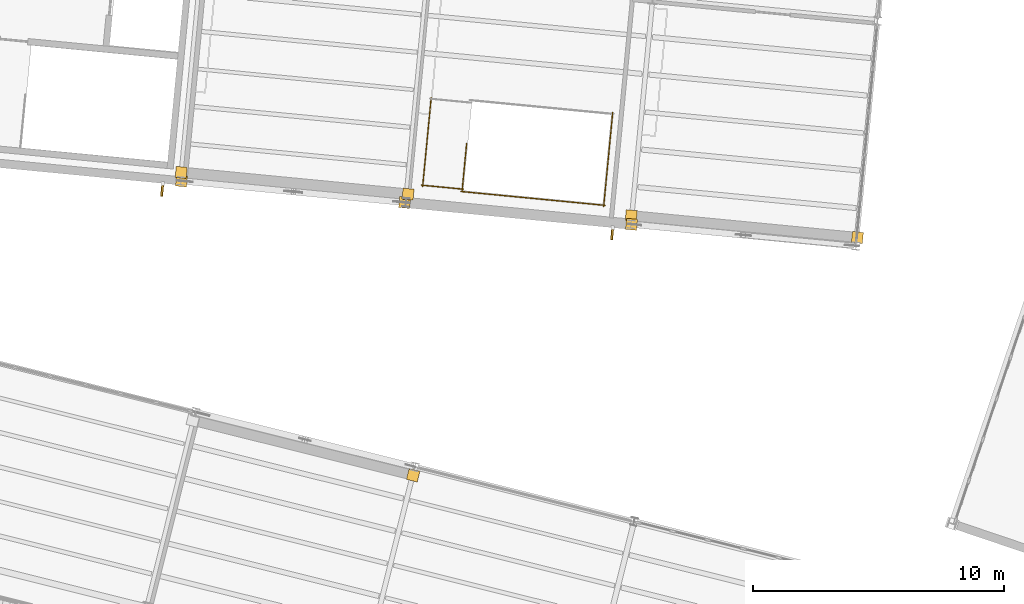
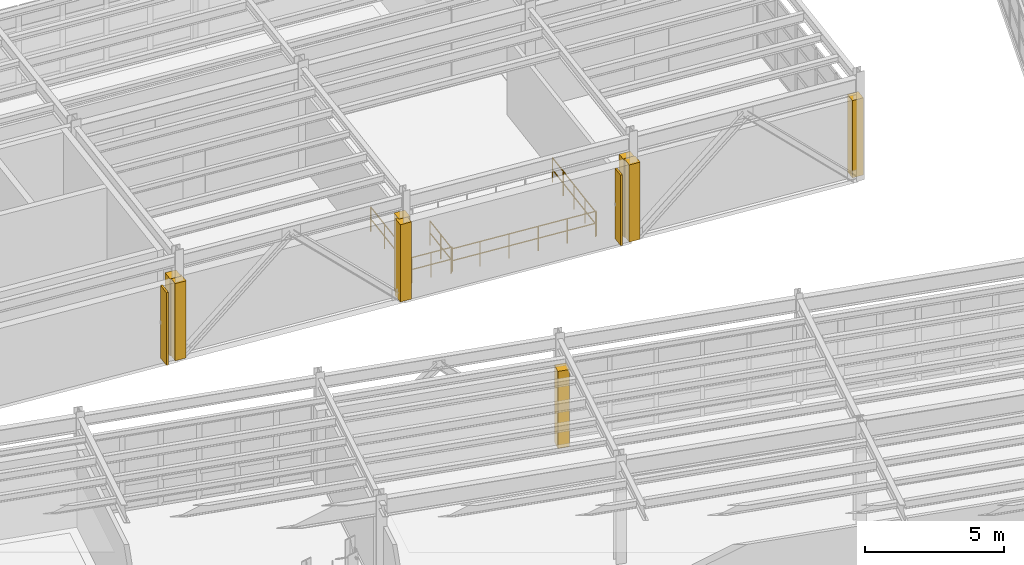
# One storey, part 99 of 102: 8 coverings, 5 railings, 2 shading devices.
"""IFC4 building model written with IfcOpenShell, lengths in metres."""

from ifc_helpers import new_model, si_unit, direction, frame, origin, origin_2d, place, context, subcontext, project, spatial, rectangle, circle, extrude, material, layer, layer_set, type_object, element, save


model = new_model("IFC4")

# Units and contexts
model_context = context("Model", 3, precision=1e-05, world=origin(), true_north=direction((0.0, 1.0)))
body_context = subcontext(model_context, "Body", "Model", "MODEL_VIEW")
ifc_project = project(units=[si_unit("LENGTHUNIT", "METRE"), si_unit("AREAUNIT", "SQUARE_METRE"), si_unit("VOLUMEUNIT", "CUBIC_METRE"), si_unit("PLANEANGLEUNIT", "RADIAN"), si_unit("MASSUNIT", "GRAM", prefix="KILO")], contexts=[model_context])

# Site, building, storey
site_placement = place(None, origin())
site = spatial("IfcSite", under=ifc_project, at=site_placement, CompositionType="ELEMENT")
building_placement = place(site_placement, origin())
building = spatial("IfcBuilding", under=site, at=building_placement, Name="Vireo Bluff Cable Station", CompositionType="ELEMENT")
storey_placement = place(building_placement, frame((0.0, 0.0, 9.60009765625)))
storey = spatial("IfcBuildingStorey", under=building, at=storey_placement, Name="L02", CompositionType="ELEMENT", Elevation=9.60009765625)

# Coverings
ifc_material_1 = material(Name="Precast concrete f'c 45 MPa", Category="concrete")
ifc_layer = layer(ifc_material_1, 0.0400390625, Name="Precast concrete f'c 45 MPa")
ifc_layer_set = layer_set([ifc_layer], Name="Precast concrete f'c 45 MPa")
covering_type = type_object("IfcCoveringType", Name="COL-CLOSURE-WRAP", PredefinedType="CLADDING", material=ifc_layer_set)
for number, where, z_axis, x_axis, name in (
    (1, (85.942626953125, 54.420166015625, 0.0), (0.0, 0.0, 1.0), (0.970295726276, -0.2419218956, 0.0), "V1 L02 column pocket closure"),
    (2, (103.62841796875, 63.8896484375, 0.0), (0.0, 0.0, 1.0), (0.995396198367, -0.09584575252, 0.0), "V3 L02 column pocket closure"),
    (3, (94.625, 64.756591796875, 0.0), (0.0, 0.0, 1.0), (0.995396198367, -0.09584575252, 0.0), "V3 L02 column pocket closure"),
    (4, (94.63525390625, 64.4140625, 0.0), (0.0, 0.0, 1.0), (0.995396198367, -0.09584575252, 0.0), "V3 L02 column pocket closure"),
    (5, (85.6044921875, 65.283447265625, 0.0), (0.0, 0.0, 1.0), (0.995396198367, -0.09584575252, 0.0), "V3 L02 column pocket closure"),
    (6, (85.738525390625, 65.6123046875, 0.0), (0.0, 0.0, 1.0), (0.995396198367, -0.09584575252, 0.0), "V3 L02 column pocket closure"),
    (7, (76.707763671875, 66.481689453125, 0.0), (0.0, 0.0, 1.0), (0.995396198367, -0.09584575252, 0.0), "V3 L02 column pocket closure"),
    (8, (76.718017578125, 66.13916015625, 0.0), (0.0, 0.0, 1.0), (0.995396198367, -0.09584575252, 0.0), "V3 L02 column pocket closure"),
):
    element("IfcCovering", number, at=place(storey_placement, frame(where, z_axis=z_axis, x_axis=x_axis)), inside=storey, type_object=covering_type, Name=name, PredefinedType="CLADDING", context=body_context, shape_type="SweptSolid", body=[
        extrude(rectangle(XDim=0.43994140625, YDim=0.43994140625, at=origin_2d()), origin(), (0.0, 0.0, 1.0), 3.39990234375),
    ])

# Shading devices
ifc_material_2 = material(Name="Extruded Terracotta Solar Fin", Category="masonry")
shading_device_type_1 = type_object("IfcShadingDeviceType", Name="SOLARFIN-480X3100", PredefinedType="SHUTTER", material=ifc_material_2)
shading_device_1_placement = place(storey_placement, frame((93.865966796875, 64.041015625, 0.2998046875), z_axis=(0.0, 0.0, 1.0), x_axis=(-0.995396200324, 0.095845732194, 0.0)))
element("IfcShadingDevice", 9, at=shading_device_1_placement, inside=storey, type_object=shading_device_type_1, Name="V3 L02 solar brise-soleil fin 22", PredefinedType="SHUTTER", context=body_context, shape_type="SweptSolid", body=[
    extrude(rectangle(XDim=0.080078125, YDim=0.47998046875, at=origin_2d()), origin(), (0.0, 0.0, 1.0), 3.10009765625),
])
shading_device_type_2 = type_object("IfcShadingDeviceType", Name="SOLARFIN-520X3200", PredefinedType="SHUTTER", material=ifc_material_2)
shading_device_2_placement = place(storey_placement, frame((75.95068359375, 65.7861328125, 0.25), z_axis=(0.0, 0.0, 1.0), x_axis=(-0.995396202347, 0.09584571119, 0.0)))
element("IfcShadingDevice", 10, at=shading_device_2_placement, inside=storey, type_object=shading_device_type_2, Name="V3 L02 solar brise-soleil fin 23", PredefinedType="SHUTTER", context=body_context, shape_type="SweptSolid", body=[
    extrude(rectangle(XDim=0.080078125, YDim=0.52001953125, at=origin_2d()), origin(), (0.0, 0.0, 1.0), 3.199951171875),
])

# Railings
ifc_material_3 = material(Name="Stainless Steel 316", Category="steel")
railing_type = type_object("IfcRailingType", Name="STAIR-GUARD-1100", PredefinedType="GUARDRAIL", material=ifc_material_3)
railing_1_placement = place(storey_placement, frame((87.892333984375, 65.7666015625, 0.0)))
element("IfcRailing", 11, at=railing_1_placement, inside=storey, type_object=railing_type, Name="L02 ST-11 top well guard 1", PredefinedType="GUARDRAIL", context=body_context, shape_type="SweptSolid", body=[
    extrude(circle(Radius=0.02392578125, at=origin_2d()), frame((0.0, 0.0, 1.076171875), z_axis=(0.095838604349, 0.995396886632, 0.0), x_axis=(-0.995396886632, 0.095838604349, 0.0)), (0.0, 0.0, 1.0), 1.8798828125),
    extrude(circle(Radius=0.02392578125, at=origin_2d()), frame((0.0, 0.0, 0.550048828125), z_axis=(0.095838604349, 0.995396886632, 0.0), x_axis=(-0.995396886632, 0.095838604349, 0.0)), (0.0, 0.0, 1.0), 1.8798828125),
    extrude(circle(Radius=0.02099609375, at=origin_2d()), origin(), (0.0, 0.0, 1.0), 1.052001953125),
    extrude(circle(Radius=0.02099609375, at=origin_2d()), frame((0.090087890625, 0.935546875, 0.0)), (0.0, 0.0, 1.0), 1.052001953125),
    extrude(circle(Radius=0.02099609375, at=origin_2d()), frame((0.18017578125, 1.871337890625, 0.0)), (0.0, 0.0, 1.0), 1.052001953125),
])
railing_2_placement = place(storey_placement, frame((87.837646484375, 65.721435546875, 0.0)))
element("IfcRailing", 12, at=railing_2_placement, inside=storey, type_object=railing_type, Name="L02 ST-11 top well guard 2", PredefinedType="GUARDRAIL", context=body_context, shape_type="SweptSolid", body=[
    extrude(circle(Radius=0.02392578125, at=origin_2d()), frame((0.0, 0.0, 1.076171875), z_axis=(0.995397005119, -0.095837373713, 0.0), x_axis=(0.095837373713, 0.995397005119, 0.0)), (0.0, 0.0, 1.0), 5.77001953125),
    extrude(circle(Radius=0.02392578125, at=origin_2d()), frame((0.0, 0.0, 0.550048828125), z_axis=(0.995397005119, -0.095837373713, 0.0), x_axis=(0.095837373713, 0.995397005119, 0.0)), (0.0, 0.0, 1.0), 5.77001953125),
    extrude(circle(Radius=0.02099609375, at=origin_2d()), origin(), (0.0, 0.0, 1.0), 1.052001953125),
    extrude(circle(Radius=0.02099609375, at=origin_2d()), frame((1.148681640625, -0.110595703125, 0.0)), (0.0, 0.0, 1.0), 1.052001953125),
    extrude(circle(Radius=0.02099609375, at=origin_2d()), frame((2.29736328125, -0.22119140625, 0.0)), (0.0, 0.0, 1.0), 1.052001953125),
    extrude(circle(Radius=0.02099609375, at=origin_2d()), frame((3.446044921875, -0.331787109375, 0.0)), (0.0, 0.0, 1.0), 1.052001953125),
    extrude(circle(Radius=0.02099609375, at=origin_2d()), frame((4.5947265625, -0.4423828125, 0.0)), (0.0, 0.0, 1.0), 1.052001953125),
    extrude(circle(Radius=0.02099609375, at=origin_2d()), frame((5.743408203125, -0.552978515625, 0.0)), (0.0, 0.0, 1.0), 1.052001953125),
])
railing_3_placement = place(storey_placement, frame((93.526611328125, 65.12353515625, 0.0)))
element("IfcRailing", 13, at=railing_3_placement, inside=storey, type_object=railing_type, Name="L02 ST-11 top well guard 4", PredefinedType="GUARDRAIL", context=body_context, shape_type="SweptSolid", body=[
    extrude(circle(Radius=0.02392578125, at=origin_2d()), frame((0.0, 0.0, 1.076171875), z_axis=(0.095838604349, 0.995396886632, 0.0), x_axis=(-0.995396886632, 0.095838604349, 0.0)), (0.0, 0.0, 1.0), 3.760009765625),
    extrude(circle(Radius=0.02392578125, at=origin_2d()), frame((0.0, 0.0, 0.550048828125), z_axis=(0.095838604349, 0.995396886632, 0.0), x_axis=(-0.995396886632, 0.095838604349, 0.0)), (0.0, 0.0, 1.0), 3.760009765625),
    extrude(circle(Radius=0.02099609375, at=origin_2d()), origin(), (0.0, 0.0, 1.0), 1.052001953125),
    extrude(circle(Radius=0.02099609375, at=origin_2d()), frame((0.090087890625, 0.935546875, 0.0)), (0.0, 0.0, 1.0), 1.052001953125),
    extrude(circle(Radius=0.02099609375, at=origin_2d()), frame((0.18017578125, 1.871337890625, 0.0)), (0.0, 0.0, 1.0), 1.052001953125),
    extrude(circle(Radius=0.02099609375, at=origin_2d()), frame((0.270263671875, 2.80712890625, 0.0)), (0.0, 0.0, 1.0), 1.052001953125),
    extrude(circle(Radius=0.02099609375, at=origin_2d()), frame((0.3603515625, 3.74267578125, 0.0)), (0.0, 0.0, 1.0), 1.052001953125),
])
railing_4_placement = place(storey_placement, frame((86.274658203125, 65.972412109375, 0.0)))
element("IfcRailing", 14, at=railing_4_placement, inside=storey, type_object=railing_type, Name="L02 ST-11 top well guard 5", PredefinedType="GUARDRAIL", context=body_context, shape_type="SweptSolid", body=[
    extrude(circle(Radius=0.02392578125, at=origin_2d()), frame((0.0, 0.0, 1.076171875), z_axis=(0.995402902627, -0.095776100574, 0.0), x_axis=(0.095776100574, 0.995402902627, 0.0)), (0.0, 0.0, 1.0), 1.679931640625),
    extrude(circle(Radius=0.02392578125, at=origin_2d()), frame((0.0, 0.0, 0.550048828125), z_axis=(0.995402902627, -0.095776100574, 0.0), x_axis=(0.095776100574, 0.995402902627, 0.0)), (0.0, 0.0, 1.0), 1.679931640625),
    extrude(circle(Radius=0.02099609375, at=origin_2d()), origin(), (0.0, 0.0, 1.0), 1.052001953125),
    extrude(circle(Radius=0.02099609375, at=origin_2d()), frame((0.8359375, -0.08056640625, 0.0)), (0.0, 0.0, 1.0), 1.052001953125),
    extrude(circle(Radius=0.02099609375, at=origin_2d()), frame((1.672119140625, -0.160888671875, 0.0)), (0.0, 0.0, 1.0), 1.052001953125),
])
railing_5_placement = place(storey_placement, frame((86.319580078125, 65.91796875, 0.0)))
element("IfcRailing", 15, at=railing_5_placement, inside=storey, type_object=railing_type, Name="L02 ST-11 top well guard 7", PredefinedType="GUARDRAIL", context=body_context, shape_type="SweptSolid", body=[
    extrude(circle(Radius=0.02392578125, at=origin_2d()), frame((0.0, 0.0, 1.076171875), z_axis=(0.095809109633, 0.995399725995, 0.0), x_axis=(-0.995399725995, 0.095809109633, 0.0)), (0.0, 0.0, 1.0), 3.559814453125),
    extrude(circle(Radius=0.02392578125, at=origin_2d()), frame((0.0, 0.0, 0.550048828125), z_axis=(0.095809109633, 0.995399725995, 0.0), x_axis=(-0.995399725995, 0.095809109633, 0.0)), (0.0, 0.0, 1.0), 3.559814453125),
    extrude(circle(Radius=0.02099609375, at=origin_2d()), origin(), (0.0, 0.0, 1.0), 1.052001953125),
    extrude(circle(Radius=0.02099609375, at=origin_2d()), frame((0.11376953125, 1.18115234375, 0.0)), (0.0, 0.0, 1.0), 1.052001953125),
    extrude(circle(Radius=0.02099609375, at=origin_2d()), frame((0.227294921875, 2.3623046875, 0.0)), (0.0, 0.0, 1.0), 1.052001953125),
    extrude(circle(Radius=0.02099609375, at=origin_2d()), frame((0.341064453125, 3.54345703125, 0.0)), (0.0, 0.0, 1.0), 1.052001953125),
])

save(model, "model.ifc")
